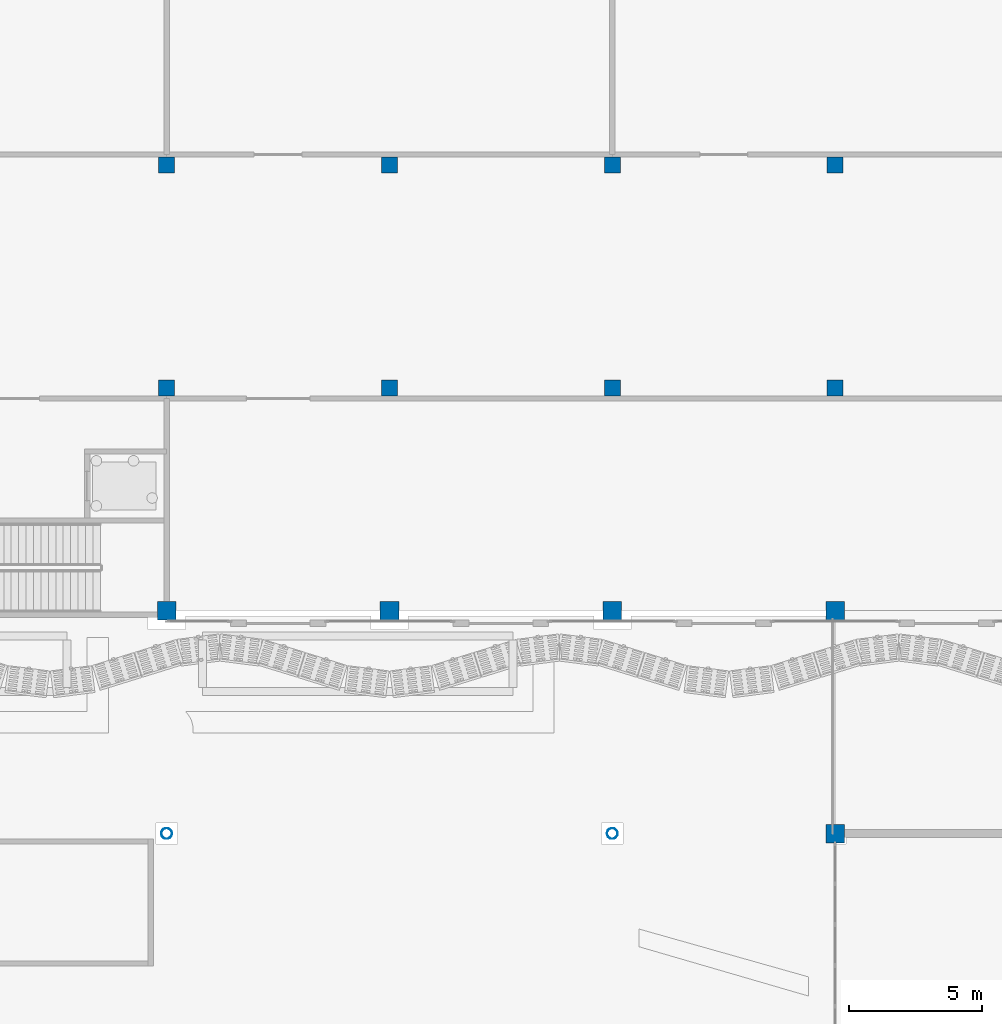
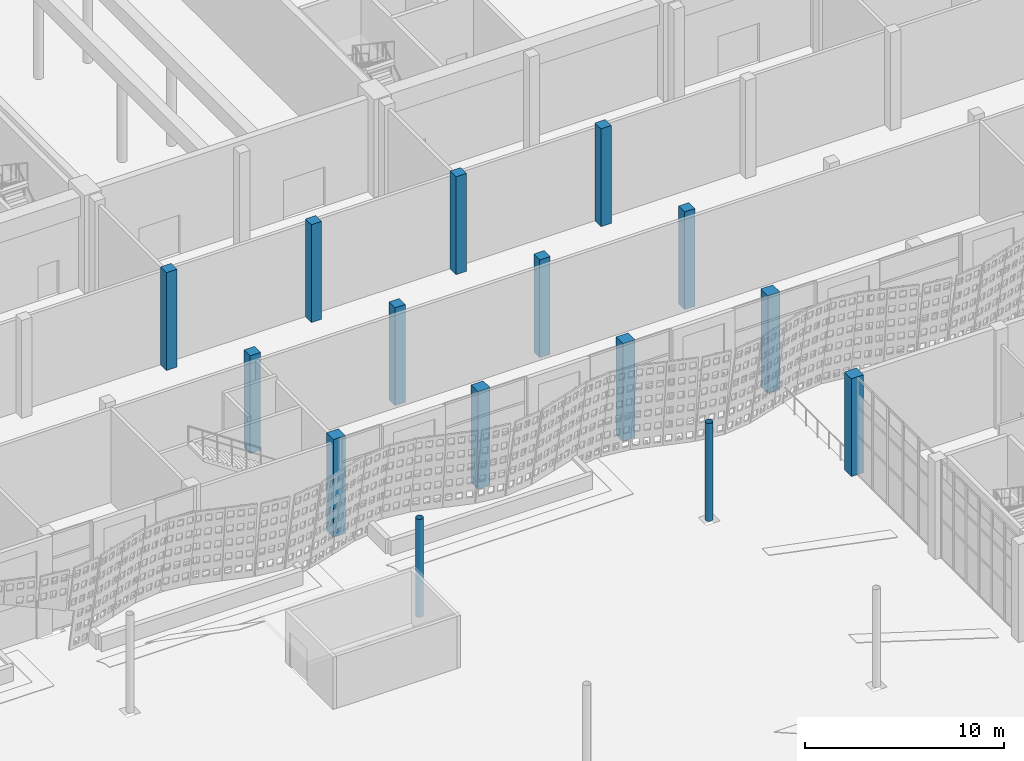
# One storey, part 16 of 210: 15 columns.
"""IFC4 building model written with IfcOpenShell, lengths in metres."""

from ifc_helpers import new_model, si_unit, direction, frame, origin, origin_2d, place, context, subcontext, project, spatial, rectangle, hollow_circle, extrude, material, material_profile, profile_set, type_object, element, save


model = new_model("IFC4")

# Units and contexts
model_context = context("Model", 3, precision=1e-05, world=origin(), true_north=direction((0.0, 1.0)))
body_context = subcontext(model_context, "Body", "Model", "MODEL_VIEW")
ifc_project = project(units=[si_unit("LENGTHUNIT", "METRE"), si_unit("AREAUNIT", "SQUARE_METRE"), si_unit("VOLUMEUNIT", "CUBIC_METRE"), si_unit("PLANEANGLEUNIT", "RADIAN"), si_unit("MASSUNIT", "GRAM", prefix="KILO")], contexts=[model_context])

# Site, building, storey
site_placement = place(None, origin())
site = spatial("IfcSite", under=ifc_project, at=site_placement, CompositionType="ELEMENT")
building_placement = place(site_placement, origin())
building = spatial("IfcBuilding", under=site, at=building_placement, Name="Rain Tree Exposition and Congress Centre", CompositionType="ELEMENT")
storey_placement = place(building_placement, origin())
storey = spatial("IfcBuildingStorey", under=building, at=storey_placement, Name="L00", CompositionType="ELEMENT", Elevation=0.0)

# Columns
ifc_material_1 = material(Name="Precast concrete C50/60", Category="concrete")
ifc_material_profile_1 = material_profile(ifc_material_1, rectangle(XDim=0.60009765625, YDim=0.60009765625, at=origin_2d()), Name="RC 600x600")
ifc_profile_set_1 = profile_set([ifc_material_profile_1], Name="Precast concrete C50/60")
column_type_1 = type_object("IfcColumnType", Name="Precast column 600x600", PredefinedType="COLUMN", material=ifc_profile_set_1)
for number, where, z_axis, x_axis, name in (
    (1, (126.0, 84.0, 0.0), (0.0, 0.0, 1.0), (1.0, 0.0, 0.0), "Concourse column L00 B16"),
    (2, (134.39990234375, 84.0, 0.0), (0.0, 0.0, 1.0), (1.0, 0.0, 0.0), "Concourse column L00 B17"),
    (3, (142.800048828125, 84.0, 0.0), (0.0, 0.0, 1.0), (1.0, 0.0, 0.0), "Concourse column L00 B18"),
    (4, (151.199951171875, 84.0, 0.0), (0.0, 0.0, 1.0), (1.0, 0.0, 0.0), "Concourse column L00 B19"),
    (5, (126.0, 92.39990234375, 0.0), (0.0, 0.0, 1.0), (1.0, 0.0, 0.0), "Concourse column L00 C16"),
    (6, (134.39990234375, 92.39990234375, 0.0), (0.0, 0.0, 1.0), (1.0, 0.0, 0.0), "Concourse column L00 C17"),
    (7, (142.800048828125, 92.39990234375, 0.0), (0.0, 0.0, 1.0), (1.0, 0.0, 0.0), "Concourse column L00 C18"),
    (8, (151.199951171875, 92.39990234375, 0.0), (0.0, 0.0, 1.0), (1.0, 0.0, 0.0), "Concourse column L00 C19"),
):
    element("IfcColumn", number, at=place(storey_placement, frame(where, z_axis=z_axis, x_axis=x_axis)), inside=storey, type_object=column_type_1, Name=name, PredefinedType="COLUMN", context=body_context, shape_type="SweptSolid", body=[
        extrude(rectangle(XDim=0.60009765625, YDim=0.60009765625, at=origin_2d()), origin(), (0.0, 0.0, 1.0), 6.0),
    ])
ifc_material_2 = material(Name="Precast concrete C50/60", Category="concrete")
ifc_material_profile_2 = material_profile(ifc_material_2, rectangle(XDim=0.699951171875, YDim=0.699951171875, at=origin_2d()), Name="RC 700x700")
ifc_profile_set_2 = profile_set([ifc_material_profile_2], Name="Precast concrete C50/60")
column_type_2 = type_object("IfcColumnType", Name="Precast column 700x700", PredefinedType="COLUMN", material=ifc_profile_set_2)
for number, where, z_axis, x_axis, name in (
    (9, (151.199951171875, 67.199951171875, 0.0), (0.0, 0.0, 1.0), (1.0, 0.0, 0.0), "CF151.2-67.2"),
    (10, (126.0, 75.60009765625, 0.0), (0.0, 0.0, 1.0), (1.0, 0.0, 0.0), "Concourse column L00 A16"),
    (11, (134.39990234375, 75.60009765625, 0.0), (0.0, 0.0, 1.0), (1.0, 0.0, 0.0), "Concourse column L00 A17"),
    (12, (142.800048828125, 75.60009765625, 0.0), (0.0, 0.0, 1.0), (1.0, 0.0, 0.0), "Concourse column L00 A18"),
    (13, (151.199951171875, 75.60009765625, 0.0), (0.0, 0.0, 1.0), (1.0, 0.0, 0.0), "Concourse column L00 A19"),
):
    element("IfcColumn", number, at=place(storey_placement, frame(where, z_axis=z_axis, x_axis=x_axis)), inside=storey, type_object=column_type_2, Name=name, PredefinedType="COLUMN", context=body_context, shape_type="SweptSolid", body=[
        extrude(rectangle(XDim=0.699951171875, YDim=0.699951171875, at=origin_2d()), origin(), (0.0, 0.0, 1.0), 6.0),
    ])
ifc_material_3 = material(Name="Steel S355J2H", Category="steel")
ifc_material_profile_3 = material_profile(ifc_material_3, hollow_circle(Radius=0.203125, WallThickness=0.009033203125, at=origin_2d()), Name="CHS 406.4x9")
ifc_profile_set_3 = profile_set([ifc_material_profile_3], Name="Steel S355J2H")
column_type_3 = type_object("IfcColumnType", Name="Steel column CHS 406.4x9", PredefinedType="COLUMN", material=ifc_profile_set_3)
for number, where, z_axis, x_axis, name in (
    (14, (126.0, 67.199951171875, 0.0), (0.0, 0.0, 1.0), (1.0, 0.0, 0.0), "Rain tree column 10"),
    (15, (142.800048828125, 67.199951171875, 0.0), (0.0, 0.0, 1.0), (1.0, 0.0, 0.0), "Rain tree column 12"),
):
    element("IfcColumn", number, at=place(storey_placement, frame(where, z_axis=z_axis, x_axis=x_axis)), inside=storey, type_object=column_type_3, Name=name, PredefinedType="COLUMN", context=body_context, shape_type="SweptSolid", body=[
        extrude(hollow_circle(Radius=0.203125, WallThickness=0.009033203125, at=origin_2d()), origin(), (0.0, 0.0, 1.0), 6.0),
    ])

save(model, "model.ifc")
